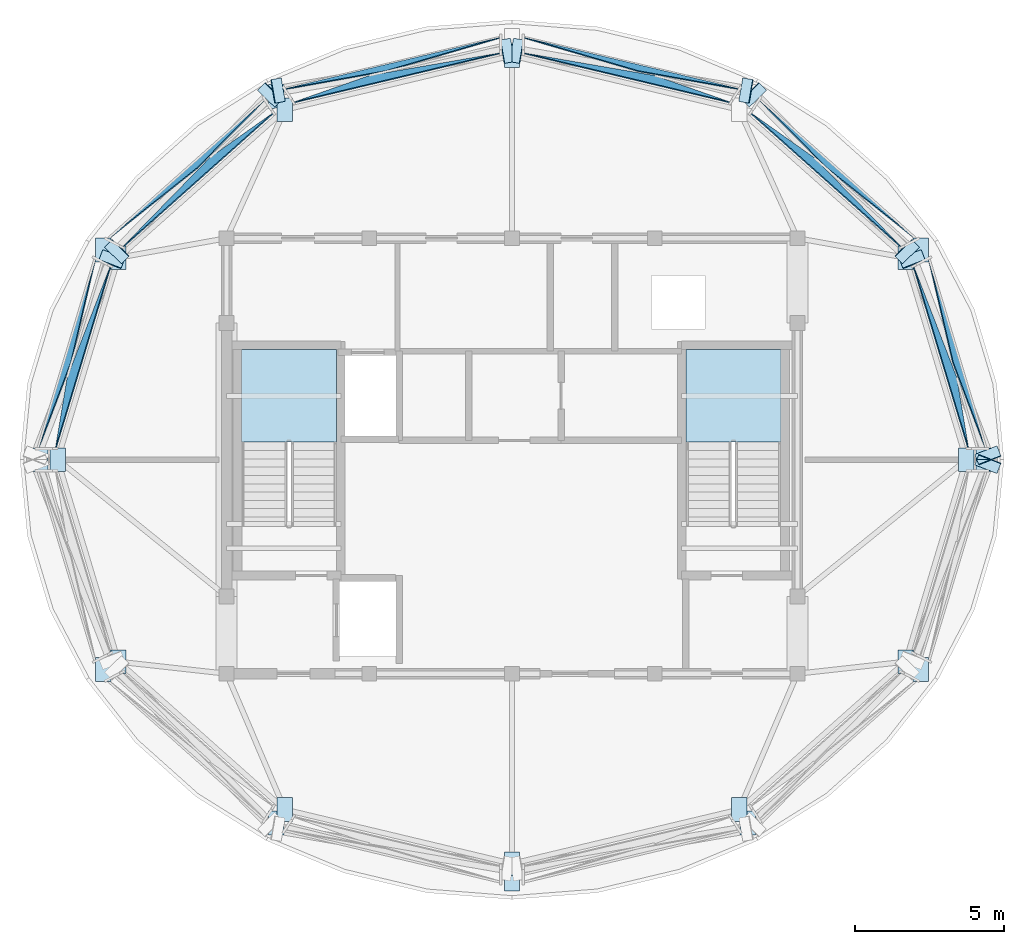
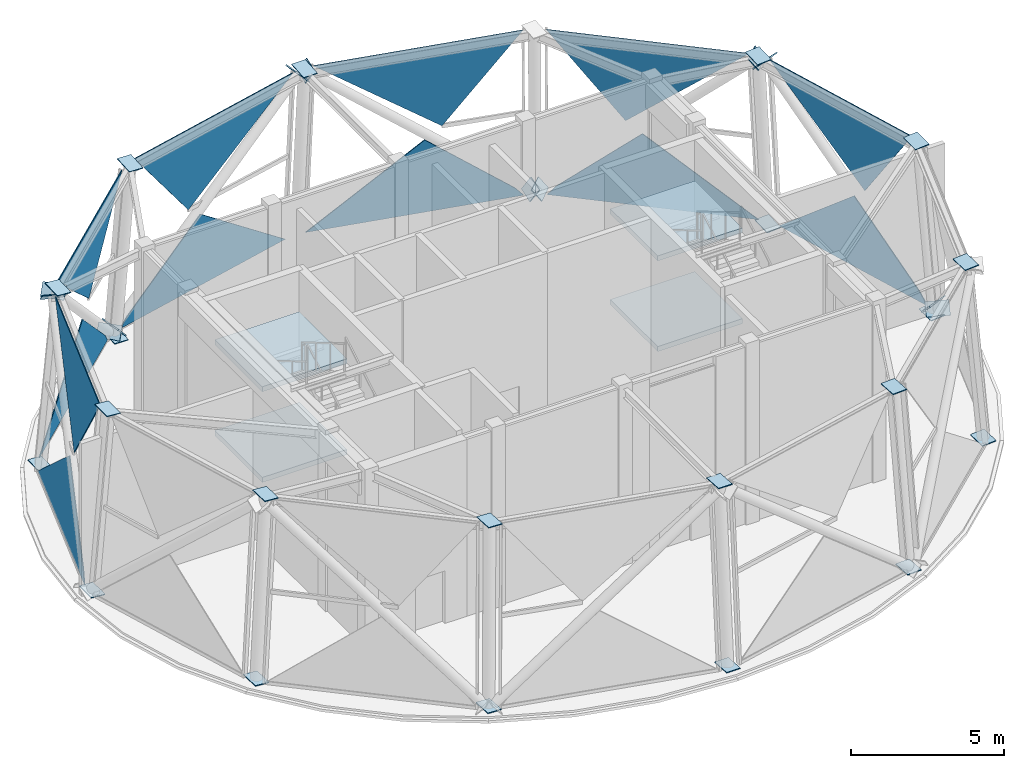
# One storey, part 4 of 9: 45 plates, 4 slabs, 8 elements without a shape of their own.
"""IFC4 building model written with IfcOpenShell, lengths in metres."""

from ifc_helpers import new_model, si_unit, direction, frame, origin, place, context, subcontext, project, spatial, polyline, outline, extrude, material, layer, layer_set, type_object, element, aggregate, save


model = new_model("IFC4")

# Units and contexts
model_context = context("Model", 3, precision=1e-05, world=origin(), true_north=direction((0.0, 1.0)))
body_context = subcontext(model_context, "Body", "Model", "MODEL_VIEW")
ifc_project = project(units=[si_unit("LENGTHUNIT", "METRE"), si_unit("AREAUNIT", "SQUARE_METRE"), si_unit("VOLUMEUNIT", "CUBIC_METRE"), si_unit("PLANEANGLEUNIT", "RADIAN"), si_unit("MASSUNIT", "GRAM", prefix="KILO")], contexts=[model_context])

# Site, building, storey
site_placement = place(None, origin())
site = spatial("IfcSite", under=ifc_project, at=site_placement, CompositionType="ELEMENT")
building_placement = place(site_placement, origin())
building = spatial("IfcBuilding", under=site, at=building_placement, Name="Vantalir Tower", CompositionType="ELEMENT")
storey_placement = place(building_placement, frame((0.0, 0.0, 319.0)))
storey = spatial("IfcBuildingStorey", under=building, at=storey_placement, Name="L78", CompositionType="ELEMENT", Elevation=319.0)

# Curtain wall, plates
ifc_material_1 = material(Name="Champagne-silver PVDF aluminium and double-silver Low-E glass", Category="aluminium")
ifc_layer_1 = layer(ifc_material_1, 0.25)
ifc_layer_set_1 = layer_set([ifc_layer_1], Name="Champagne-silver PVDF aluminium and double-silver Low-E glass")
curtain_wall_type = type_object("IfcCurtainWallType", Name="CW-CROWN-PT", PredefinedType="USERDEFINED", material=ifc_layer_set_1)
curtain_wall_1_placement = place(storey_placement, origin())
curtain_wall_1 = element("IfcCurtainWall", 1, at=curtain_wall_1_placement, inside=storey, type_object=curtain_wall_type, Name="L78 Quilted Pyramid-Diamond Curtain Wall S01", ObjectType="UNITISED CURTAIN WALL", PredefinedType="USERDEFINED")
ifc_material_2 = material(Name="Faceted crown Low-E glass IGU", Category="glass")
ifc_layer_2 = layer(ifc_material_2, 0.033935546875)
ifc_layer_set_2 = layer_set([ifc_layer_2], Name="Faceted crown Low-E glass IGU")
plate_type_1 = type_object("IfcPlateType", Name="CWP-IGU-CRN-34", PredefinedType="CURTAIN_PANEL", material=ifc_layer_set_2)
plate_1_placement = place(storey_placement, frame((47.44921875, 25.38671875, 0.05029296875), z_axis=(0.955000370211, 0.287310287213, 0.073668797731), x_axis=(-0.288085392058, 0.957604717512, -0.000109006223)))
plate_1 = element("IfcPlate", 2, at=plate_1_placement, type_object=plate_type_1, Name="CW-L78-S01 Pyramid Diamond Facet 1L", PredefinedType="CURTAIN_PANEL", context=body_context, shape_type="SweptSolid", body=[
    extrude(outline(polyline([(0.0, 0.0), (6.66159503365397, 1.7997756063259374e-17), (3.084272944217544, 3.0356845084000854), (0.31515326144358263, 0.42820611364267946), (0.0, 0.0)])), origin(), (0.0, 0.0, -1.0), 0.033935546875),
])
plate_2_placement = place(storey_placement, frame((45.02099609375, 31.503173828125, 7.020263671875), z_axis=(0.953916725459, 0.287131746887, 0.087167888694), x_axis=(0.288238456872, -0.957558655557, -0.000114668528)))
plate_2 = element("IfcPlate", 3, at=plate_2_placement, type_object=plate_type_1, Name="CW-L78-S01 Pyramid Diamond Facet 2U", PredefinedType="CURTAIN_PANEL", context=body_context, shape_type="SweptSolid", body=[
    extrude(outline(polyline([(0.0, 0.0), (6.387296383368858, -1.1275702593849246e-17), (3.9957717443546246, 3.4835044467890293), (0.0, 0.0)])), origin(), (0.0, 0.0, -1.0), 0.033935546875),
])
aggregate(curtain_wall_1, [plate_1, plate_2])

curtain_wall_2_placement = place(storey_placement, origin())
curtain_wall_2 = element("IfcCurtainWall", 4, at=curtain_wall_2_placement, inside=storey, type_object=curtain_wall_type, Name="L78 Quilted Pyramid-Diamond Curtain Wall S02", ObjectType="UNITISED CURTAIN WALL", PredefinedType="USERDEFINED")
plate_3_placement = place(storey_placement, frame((45.11181640625, 32.421630859375, 0.04931640625), z_axis=(0.663347316607, 0.745059513847, 0.069689729343), x_axis=(-0.746880121911, 0.664958700267, 0.000102149157)))
plate_3 = element("IfcPlate", 5, at=plate_3_placement, type_object=plate_type_1, Name="CW-L78-S02 Pyramid Diamond Facet 1L", PredefinedType="CURTAIN_PANEL", context=body_context, shape_type="SweptSolid", body=[
    extrude(outline(polyline([(0.0, 0.0), (7.065660236371438, -7.589415207398531e-18), (6.757968334887415, 0.4004297243888022), (3.8383601692713945, 3.03970248608469), (0.0, 0.0)])), origin(), (0.0, 0.0, -1.0), 0.033935546875),
])
plate_4_placement = place(storey_placement, frame((39.541015625, 36.66650390625, 7.019775390625), z_axis=(0.66274369962, 0.744209146363, 0.083207782589), x_axis=(0.746792875352, -0.665056681528, 0.000108069009)))
plate_4 = element("IfcPlate", 6, at=plate_4_placement, type_object=plate_type_1, Name="CW-L78-S02 Pyramid Diamond Facet 2U", PredefinedType="CURTAIN_PANEL", context=body_context, shape_type="SweptSolid", body=[
    extrude(outline(polyline([(0.0, 0.0), (6.777353485716057, -3.5128150388530344e-17), (2.590007313250349, 3.4825715566898108), (0.0, 0.0)])), origin(), (0.0, 0.0, -1.0), 0.033935546875),
])
aggregate(curtain_wall_2, [plate_3, plate_4])

curtain_wall_3_placement = place(storey_placement, origin())
curtain_wall_3 = element("IfcCurtainWall", 7, at=curtain_wall_3_placement, inside=storey, type_object=curtain_wall_type, Name="L78 Quilted Pyramid-Diamond Curtain Wall S03", ObjectType="UNITISED CURTAIN WALL", PredefinedType="USERDEFINED")
plate_5_placement = place(storey_placement, frame((39.1396484375, 37.482421875, 0.0498046875), z_axis=(0.231630877501, 0.970557917712, 0.066064097325), x_axis=(-0.972681336544, 0.232144368418, -9.8742098e-05)))
plate_5 = element("IfcPlate", 8, at=plate_5_placement, type_object=plate_type_1, Name="CW-L78-S03 Pyramid Diamond Facet 1L", PredefinedType="CURTAIN_PANEL", context=body_context, shape_type="SweptSolid", body=[
    extrude(outline(polyline([(0.0, 0.0), (7.4498695683774, -1.7672495411513722e-17), (3.440650678363946, 3.038961145310199), (0.29772186006821383, 0.3621454803820775), (0.0, 0.0)])), origin(), (0.0, 0.0, -1.0), 0.033935546875),
])
plate_6_placement = place(storey_placement, frame((31.893310546875, 38.6875, 7.020751953125), z_axis=(0.231295612374, 0.969615401188, 0.079676304357), x_axis=(0.972709739424, -0.232025326916, -0.000102469598)))
plate_6 = element("IfcPlate", 9, at=plate_6_placement, type_object=plate_type_1, Name="CW-L78-S03 Pyramid Diamond Facet 2U", PredefinedType="CURTAIN_PANEL", context=body_context, shape_type="SweptSolid", body=[
    extrude(outline(polyline([(0.0, 0.0), (7.147699295032746, 1.3010426069826053e-18), (4.467316172605861, 3.481803045041743), (0.0, 0.0)])), origin(), (0.0, 0.0, -1.0), 0.033935546875),
])
aggregate(curtain_wall_3, [plate_5, plate_6])

curtain_wall_4_placement = place(storey_placement, origin())
curtain_wall_4 = element("IfcCurtainWall", 10, at=curtain_wall_4_placement, inside=storey, type_object=curtain_wall_type, Name="L78 Quilted Pyramid-Diamond Curtain Wall S04", ObjectType="UNITISED CURTAIN WALL", PredefinedType="USERDEFINED")
plate_7_placement = place(storey_placement, frame((31.106689453125, 39.2119140625, 0.049072265625), z_axis=(-0.231630877501, 0.970557917712, 0.066064097325), x_axis=(-0.972681336544, -0.232144368418, 9.8742098e-05)))
plate_7 = element("IfcPlate", 11, at=plate_7_placement, type_object=plate_type_1, Name="CW-L78-S04 Pyramid Diamond Facet 1L", PredefinedType="CURTAIN_PANEL", context=body_context, shape_type="SweptSolid", body=[
    extrude(outline(polyline([(0.0, 0.0), (7.4498695683774, 1.7672495411513722e-17), (7.152147708309187, 0.3621454803820775), (4.009218890013455, 3.0389611453101995), (0.0, 0.0)])), origin(), (0.0, 0.0, -1.0), 0.033935546875),
])
plate_8_placement = place(storey_placement, frame((24.154052734375, 37.029052734375, 7.02001953125), z_axis=(-0.231295612374, 0.969615401188, 0.079676304357), x_axis=(0.972709739424, 0.232025326916, 0.000102469598)))
plate_8 = element("IfcPlate", 12, at=plate_8_placement, type_object=plate_type_1, Name="CW-L78-S04 Pyramid Diamond Facet 2U", PredefinedType="CURTAIN_PANEL", context=body_context, shape_type="SweptSolid", body=[
    extrude(outline(polyline([(0.0, 0.0), (7.147699295032746, -1.3010426069826053e-18), (2.680383122426885, 3.481803045041743), (0.0, 0.0)])), origin(), (0.0, 0.0, -1.0), 0.033935546875),
])
aggregate(curtain_wall_4, [plate_7, plate_8])

curtain_wall_5_placement = place(storey_placement, origin())
curtain_wall_5 = element("IfcCurtainWall", 13, at=curtain_wall_5_placement, inside=storey, type_object=curtain_wall_type, Name="L78 Quilted Pyramid-Diamond Curtain Wall S05", ObjectType="UNITISED CURTAIN WALL", PredefinedType="USERDEFINED")
plate_9_placement = place(storey_placement, frame((23.165283203125, 37.1201171875, 0.050048828125), z_axis=(-0.663347316607, 0.745059513847, 0.069689729343), x_axis=(-0.746880121911, -0.664958700267, -0.000102149157)))
plate_9 = element("IfcPlate", 14, at=plate_9_placement, type_object=plate_type_1, Name="CW-L78-S05 Pyramid Diamond Facet 1L", PredefinedType="CURTAIN_PANEL", context=body_context, shape_type="SweptSolid", body=[
    extrude(outline(polyline([(0.0, 0.0), (7.065660236371438, 7.589415207398531e-18), (3.2273000671000447, 3.03970248608469), (0.30769190148402364, 0.4004297243888022), (0.0, 0.0)])), origin(), (0.0, 0.0, -1.0), 0.033935546875),
])
plate_10_placement = place(storey_placement, frame((18.397705078125, 32.1591796875, 7.0205078125), z_axis=(-0.66274369962, 0.744209146363, 0.083207782589), x_axis=(0.746792875352, 0.665056681528, -0.000108069009)))
plate_10 = element("IfcPlate", 15, at=plate_10_placement, type_object=plate_type_1, Name="CW-L78-S05 Pyramid Diamond Facet 2U", PredefinedType="CURTAIN_PANEL", context=body_context, shape_type="SweptSolid", body=[
    extrude(outline(polyline([(0.0, 0.0), (6.777353485716057, 3.5128150388530344e-17), (4.187346172465708, 3.4825715566898108), (0.0, 0.0)])), origin(), (0.0, 0.0, -1.0), 0.033935546875),
])
aggregate(curtain_wall_5, [plate_9, plate_10])

curtain_wall_6_placement = place(storey_placement, origin())
curtain_wall_6 = element("IfcCurtainWall", 16, at=curtain_wall_6_placement, inside=storey, type_object=curtain_wall_type, Name="L78 Quilted Pyramid-Diamond Curtain Wall S06", ObjectType="UNITISED CURTAIN WALL", PredefinedType="USERDEFINED")
plate_11_placement = place(storey_placement, frame((17.469970703125, 31.765869140625, 0.049560546875), z_axis=(-0.955000370211, 0.287310287213, 0.073668797731), x_axis=(-0.288085392058, -0.957604717512, 0.000109006223)))
plate_11 = element("IfcPlate", 17, at=plate_11_placement, type_object=plate_type_1, Name="CW-L78-S06 Pyramid Diamond Facet 1L", PredefinedType="CURTAIN_PANEL", context=body_context, shape_type="SweptSolid", body=[
    extrude(outline(polyline([(0.0, 0.0), (6.66159503365397, -1.7997756063259374e-17), (6.346441772210388, 0.4282061136426794), (3.577322089436427, 3.0356845084000854), (0.0, 0.0)])), origin(), (0.0, 0.0, -1.0), 0.033935546875),
])
plate_12_placement = place(storey_placement, frame((16.137939453125, 25.386962890625, 7.01953125), z_axis=(-0.953916725459, 0.287131746887, 0.087167888694), x_axis=(0.288238456872, 0.957558655557, 0.000114668528)))
plate_12 = element("IfcPlate", 18, at=plate_12_placement, type_object=plate_type_1, Name="CW-L78-S06 Pyramid Diamond Facet 2U", PredefinedType="CURTAIN_PANEL", context=body_context, shape_type="SweptSolid", body=[
    extrude(outline(polyline([(0.0, 0.0), (6.387296383368858, 1.1275702593849246e-17), (2.3915246390142326, 3.483504446789029), (0.0, 0.0)])), origin(), (0.0, 0.0, -1.0), 0.033935546875),
])
aggregate(curtain_wall_6, [plate_11, plate_12])

# Plates
ifc_material_3 = material(Name="Steel S460", Category="steel")
ifc_layer_3 = layer(ifc_material_3, 0.031982421875)
ifc_layer_set_3 = layer_set([ifc_layer_3], Name="Steel S460")
plate_type_2 = type_object("IfcPlateType", Name="PLT-KN-Z3", PredefinedType="USERDEFINED", material=ifc_layer_set_3)
plate_13_placement = place(storey_placement, frame((46.52685546875, 25.39990234375, 7.072265625), z_axis=(-0.083084326934, 0.0, 0.996542520226), x_axis=(0.0, -1.0, 0.0)))
element("IfcPlate", 19, at=plate_13_placement, inside=storey, type_object=plate_type_2, Name="L78 Ring Column Top Cap RC01", ObjectType="FLANGE_PLATE", PredefinedType="USERDEFINED", context=body_context, shape_type="SweptSolid", body=[
    extrude(outline(polyline([(0.0, 0.0), (0.7998046875, 0.0), (0.7998046875, 0.520108812574859), (0.0, 0.520108812574859), (0.0, 0.0)])), origin(), (0.0, 0.0, -1.0), 0.031982421875),
])
plate_14_placement = place(storey_placement, frame((47.112548828125, 25.39990234375, 0.03125), z_axis=(-0.083123210248, 0.0, 0.996539277659), x_axis=(0.0, -1.0, 0.0)))
element("IfcPlate", 20, at=plate_14_placement, inside=storey, type_object=plate_type_2, Name="L78 Ring Column Base Cap RC01", ObjectType="FLANGE_PLATE", PredefinedType="USERDEFINED", context=body_context, shape_type="SweptSolid", body=[
    extrude(outline(polyline([(0.0, 0.0), (0.7998046875, 0.0), (0.7998046875, 0.5198655164568604), (0.0, 0.5198655164568604), (0.0, 0.0)])), origin(), (0.0, 0.0, -1.0), 0.031982421875),
])
plate_15_placement = place(storey_placement, frame((44.47900390625, 32.194580078125, 7.090087890625), z_axis=(-0.071893840977, -0.037135419284, 0.996720741363), x_axis=(4.07322e-07, -0.999306658595, -0.037231734965)))
element("IfcPlate", 21, at=plate_15_placement, inside=storey, type_object=plate_type_2, Name="L78 Ring Column Top Cap RC02", ObjectType="FLANGE_PLATE", PredefinedType="USERDEFINED", context=body_context, shape_type="SweptSolid", body=[
    extrude(outline(polyline([(0.0, 0.0), (0.8001151314850488, 0.0), (0.799944463270866, 0.5198997115076142), (7.330313801319792e-05, 0.5199003649076257), (0.0, 0.0)])), origin(), (0.0, 0.0, -1.0), 0.031982421875),
])
plate_16_placement = place(storey_placement, frame((44.98583984375, 32.45654296875, 0.049072265625), z_axis=(-0.071868875171, -0.03712982459, 0.996722750271), x_axis=(0.0, -0.999306868973, -0.037226087943)))
element("IfcPlate", 22, at=plate_16_placement, inside=storey, type_object=plate_type_2, Name="L78 Ring Column Base Cap RC02", ObjectType="FLANGE_PLATE", PredefinedType="USERDEFINED", context=body_context, shape_type="SweptSolid", body=[
    extrude(outline(polyline([(0.0, 0.0), (0.8001151314978902, 4.336808689942018e-19), (0.8001884346615851, 0.5201438739303564), (7.330316369493482e-05, 0.5201438739303564), (0.0, 0.0)])), origin(), (0.0, 0.0, -1.0), 0.031982421875),
])
plate_17_placement = place(storey_placement, frame((31.239990234375, 38.988037109375, 7.12353515625), z_axis=(0.0, -0.074175264348, 0.997245220675), x_axis=(0.0, -0.997245220675, -0.074175264348)))
element("IfcPlate", 23, at=plate_17_placement, inside=storey, type_object=plate_type_2, Name="L78 Ring Column Top Cap RC04", ObjectType="FLANGE_PLATE", PredefinedType="USERDEFINED", context=body_context, shape_type="SweptSolid", body=[
    extrude(outline(polyline([(0.0, 0.0), (0.7998107239212452, 0.0), (0.7998107239212452, 0.52001953125), (0.0, 0.52001953125), (0.0, 0.0)])), origin(), (0.0, 0.0, -1.0), 0.031982421875),
])
plate_18_placement = place(storey_placement, frame((23.59716796875, 37.1669921875, 7.13037109375), z_axis=(0.041617296581, -0.064184468103, 0.997069884552), x_axis=(-6.331812e-06, -0.997934486941, -0.064239860942)))
element("IfcPlate", 24, at=plate_18_placement, inside=storey, type_object=plate_type_2, Name="L78 Ring Column Top Cap RC05", ObjectType="FLANGE_PLATE", PredefinedType="USERDEFINED", context=body_context, shape_type="SweptSolid", body=[
    extrude(outline(polyline([(0.0, 0.0), (0.7999844099352214, 0.0), (0.8001587754366073, 0.5199868200412917), (0.0001586819415855588, 0.5199766804558633), (0.0, 0.0)])), origin(), (0.0, 0.0, -1.0), 0.031982421875),
])
plate_19_placement = place(storey_placement, frame((23.304443359375, 37.6201171875, 0.08935546875), z_axis=(0.04139846883, -0.064327084096, 0.997069803489), x_axis=(4.06348e-07, -0.997925307884, -0.0643822948)))
element("IfcPlate", 25, at=plate_19_placement, inside=storey, type_object=plate_type_2, Name="L78 Ring Column Base Cap RC05", ObjectType="FLANGE_PLATE", PredefinedType="USERDEFINED", context=body_context, shape_type="SweptSolid", body=[
    extrude(outline(polyline([(0.0, 0.0), (0.8000001027794679, 0.0), (0.8001653567129525, 0.5199766925942926), (-7.83801748855653e-05, 0.5199773434081553), (0.0, 0.0)])), origin(), (0.0, 0.0, -1.0), 0.031982421875),
])
plate_20_placement = place(storey_placement, frame((18.00244140625, 32.193115234375, 7.12744140625), z_axis=(0.071893840977, -0.037135419284, 0.996720741363), x_axis=(4.07446e-07, -0.999306656408, -0.037231793653)))
element("IfcPlate", 26, at=plate_20_placement, inside=storey, type_object=plate_type_2, Name="L78 Ring Column Top Cap RC06", ObjectType="FLANGE_PLATE", PredefinedType="USERDEFINED", context=body_context, shape_type="SweptSolid", body=[
    extrude(outline(polyline([(0.0, 0.0), (0.7998711601331198, -4.336808689942018e-19), (0.8000422530437965, 0.519899711368025), (-7.287844098531854e-05, 0.5199003649673323), (0.0, 0.0)])), origin(), (0.0, 0.0, -1.0), 0.031982421875),
])
plate_21_placement = place(storey_placement, frame((17.495361328125, 32.455078125, 0.08642578125), z_axis=(0.071868875171, -0.03712982459, 0.996722750271), x_axis=(0.0, -0.999306868973, -0.037226087943)))
element("IfcPlate", 27, at=plate_21_placement, inside=storey, type_object=plate_type_2, Name="L78 Ring Column Base Cap RC06", ObjectType="FLANGE_PLATE", PredefinedType="USERDEFINED", context=body_context, shape_type="SweptSolid", body=[
    extrude(outline(polyline([(0.0, 0.0), (0.8001151314978902, -4.336808689942018e-19), (0.8000418283341951, 0.5201438739303564), (-7.330316369493482e-05, 0.5201438739303564), (0.0, 0.0)])), origin(), (0.0, 0.0, -1.0), 0.031982421875),
])
plate_22_placement = place(storey_placement, frame((15.954833984375, 25.39990234375, 7.115478515625), z_axis=(0.083084326934, 0.0, 0.996542520226), x_axis=(0.0, -1.0, 0.0)))
element("IfcPlate", 28, at=plate_22_placement, inside=storey, type_object=plate_type_2, Name="L78 Ring Column Top Cap RC07", ObjectType="FLANGE_PLATE", PredefinedType="USERDEFINED", context=body_context, shape_type="SweptSolid", body=[
    extrude(outline(polyline([(0.0, 0.0), (0.7998046875, 0.0), (0.7998046875, 0.520108812574859), (0.0, 0.520108812574859), (0.0, 0.0)])), origin(), (0.0, 0.0, -1.0), 0.031982421875),
])
plate_23_placement = place(storey_placement, frame((15.369384765625, 25.39990234375, 0.074462890625), z_axis=(0.083123210248, 0.0, 0.996539277659), x_axis=(0.0, -1.0, 0.0)))
element("IfcPlate", 29, at=plate_23_placement, inside=storey, type_object=plate_type_2, Name="L78 Ring Column Base Cap RC07", ObjectType="FLANGE_PLATE", PredefinedType="USERDEFINED", context=body_context, shape_type="SweptSolid", body=[
    extrude(outline(polyline([(0.0, 0.0), (0.7998046875, 0.0), (0.7998046875, 0.5198655164568604), (0.0, 0.5198655164568604), (0.0, 0.0)])), origin(), (0.0, 0.0, -1.0), 0.031982421875),
])
plate_24_placement = place(storey_placement, frame((18.00244140625, 18.605224609375, 7.09765625), z_axis=(0.071660426999, 0.036984057449, 0.996743177903), x_axis=(-1.1305125e-05, -0.999312292961, 0.037080196987)))
element("IfcPlate", 30, at=plate_24_placement, inside=storey, type_object=plate_type_2, Name="L78 Ring Column Top Cap RC08", ObjectType="FLANGE_PLATE", PredefinedType="USERDEFINED", context=body_context, shape_type="SweptSolid", body=[
    extrude(outline(polyline([(0.0, 0.0), (0.7998711501923234, 0.0), (0.799944048515807, 0.5199003496705447), (-0.00016202162182263726, 0.5198822151054651), (0.0, 0.0)])), origin(), (0.0, 0.0, -1.0), 0.031982421875),
])
plate_25_placement = place(storey_placement, frame((17.495361328125, 18.344482421875, 0.056640625), z_axis=(0.071635534092, 0.036978485081, 0.996745174002), x_axis=(1.0893693e-05, -0.999312561834, 0.037072950286)))
element("IfcPlate", 31, at=plate_25_placement, inside=storey, type_object=plate_type_2, Name="L78 Ring Column Base Cap RC08", ObjectType="FLANGE_PLATE", PredefinedType="USERDEFINED", context=body_context, shape_type="SweptSolid", body=[
    extrude(outline(polyline([(0.0, 0.0), (0.8001060710423886, 4.336808689942018e-19), (0.8001998054235657, 0.5201263807513746), (8.468336792353615e-05, 0.5201438579710826), (0.0, 0.0)])), origin(), (0.0, 0.0, -1.0), 0.031982421875),
])
plate_26_placement = place(storey_placement, frame((23.59716796875, 13.63134765625, 7.0791015625), z_axis=(0.041617296581, 0.064184468103, 0.997069884552), x_axis=(6.331812e-06, -0.997934486941, 0.064239860942)))
element("IfcPlate", 32, at=plate_26_placement, inside=storey, type_object=plate_type_2, Name="L78 Ring Column Top Cap RC09", ObjectType="FLANGE_PLATE", PredefinedType="USERDEFINED", context=body_context, shape_type="SweptSolid", body=[
    extrude(outline(polyline([(0.0, 0.0), (0.7999844099352214, 0.0), (0.7998257279936357, 0.5199766804558633), (-0.00017436550138594958, 0.5199868200412917), (0.0, 0.0)])), origin(), (0.0, 0.0, -1.0), 0.031982421875),
])
plate_27_placement = place(storey_placement, frame((23.304443359375, 13.17822265625, 0.037841796875), z_axis=(0.04139846883, 0.064327084096, 0.997069803489), x_axis=(-4.06348e-07, -0.997925307884, 0.0643822948)))
element("IfcPlate", 33, at=plate_27_placement, inside=storey, type_object=plate_type_2, Name="L78 Ring Column Base Cap RC09", ObjectType="FLANGE_PLATE", PredefinedType="USERDEFINED", context=body_context, shape_type="SweptSolid", body=[
    extrude(outline(polyline([(0.0, 0.0), (0.8000001027794679, 0.0), (0.8000784829543535, 0.5199773434081552), (-0.0001652539334846485, 0.5199766925942925), (0.0, 0.0)])), origin(), (0.0, 0.0, -1.0), 0.031982421875),
])
plate_28_placement = place(storey_placement, frame((31.239990234375, 11.8095703125, 7.064208984375), z_axis=(0.0, 0.074175264348, 0.997245220675), x_axis=(0.0, -0.997245220675, 0.074175264348)))
element("IfcPlate", 34, at=plate_28_placement, inside=storey, type_object=plate_type_2, Name="L78 Ring Column Top Cap RC10", ObjectType="FLANGE_PLATE", PredefinedType="USERDEFINED", context=body_context, shape_type="SweptSolid", body=[
    extrude(outline(polyline([(0.0, 0.0), (0.7998107239212452, 0.0), (0.7998107239212452, 0.52001953125), (0.0, 0.52001953125), (0.0, 0.0)])), origin(), (0.0, 0.0, -1.0), 0.031982421875),
])
plate_29_placement = place(storey_placement, frame((31.239990234375, 11.286865234375, 0.023193359375), z_axis=(0.0, 0.074152691722, 0.997246899374), x_axis=(0.0, -0.997246899374, 0.074152691722)))
element("IfcPlate", 35, at=plate_29_placement, inside=storey, type_object=plate_type_2, Name="L78 Ring Column Base Cap RC10", ObjectType="FLANGE_PLATE", PredefinedType="USERDEFINED", context=body_context, shape_type="SweptSolid", body=[
    extrude(outline(polyline([(0.0, 0.0), (0.8000541921976495, 0.0), (0.8000541921976495, 0.52001953125), (0.0, 0.52001953125), (0.0, 0.0)])), origin(), (0.0, 0.0, -1.0), 0.031982421875),
])
plate_30_placement = place(storey_placement, frame((38.88330078125, 13.630126953125, 7.057373046875), z_axis=(-0.041617296581, 0.064184468103, 0.997069884552), x_axis=(6.331688e-06, -0.997934453056, 0.06424038733)))
element("IfcPlate", 36, at=plate_30_placement, inside=storey, type_object=plate_type_2, Name="L78 Ring Column Top Cap RC11", ObjectType="FLANGE_PLATE", PredefinedType="USERDEFINED", context=body_context, shape_type="SweptSolid", body=[
    extrude(outline(polyline([(0.0, 0.0), (0.8000000935592787, -4.336808689942018e-19), (0.8001653659350461, 0.5199766784028871), (0.0001809560640805264, 0.5199868177895337), (0.0, 0.0)])), origin(), (0.0, 0.0, -1.0), 0.031982421875),
])
plate_31_placement = place(storey_placement, frame((39.176025390625, 13.177001953125, 0.016357421875), z_axis=(-0.04139846883, 0.064327084096, 0.997069803489), x_axis=(-4.06224e-07, -0.997925310052, 0.064382261201)))
element("IfcPlate", 37, at=plate_31_placement, inside=storey, type_object=plate_type_2, Name="L78 Ring Column Base Cap RC11", ObjectType="FLANGE_PLATE", PredefinedType="USERDEFINED", context=body_context, shape_type="SweptSolid", body=[
    extrude(outline(polyline([(0.0, 0.0), (0.8002437368881027, 0.0), (0.8001649338314777, 0.5199773433442391), (0.0001648310522744771, 0.5199766927285165), (0.0, 0.0)])), origin(), (0.0, 0.0, -1.0), 0.031982421875),
])
plate_32_placement = place(storey_placement, frame((44.47900390625, 18.60400390625, 7.060546875), z_axis=(-0.071660426999, 0.036984057449, 0.996743177903), x_axis=(-1.1301806e-05, -0.999312353186, 0.037078573906)))
element("IfcPlate", 38, at=plate_32_placement, inside=storey, type_object=plate_type_2, Name="L78 Ring Column Top Cap RC12", ObjectType="FLANGE_PLATE", PredefinedType="USERDEFINED", context=body_context, shape_type="SweptSolid", body=[
    extrude(outline(polyline([(0.0, 0.0), (0.8001060703431415, 0.0), (0.8000213883736383, 0.51990034788475), (0.00015023838676640755, 0.5198822186441832), (0.0, 0.0)])), origin(), (0.0, 0.0, -1.0), 0.031982421875),
])
plate_33_placement = place(storey_placement, frame((44.98583984375, 18.343017578125, 0.019287109375), z_axis=(-0.071635534092, 0.036978485081, 0.996745174002), x_axis=(1.089357e-05, -0.999312503822, 0.037074513973)))
element("IfcPlate", 39, at=plate_33_placement, inside=storey, type_object=plate_type_2, Name="L78 Ring Column Base Cap RC12", ObjectType="FLANGE_PLATE", PredefinedType="USERDEFINED", context=body_context, shape_type="SweptSolid", body=[
    extrude(outline(polyline([(0.0, 0.0), (0.8001151222465229, -4.336808689942018e-19), (0.800032749184233, 0.5201263826747656), (-7.33216672770124e-05, 0.5201438596967648), (0.0, 0.0)])), origin(), (0.0, 0.0, -1.0), 0.031982421875),
])
plate_34_placement = place(storey_placement, frame((47.815185546875, 25.465087890625, 0.0458984375), z_axis=(-0.263169041116, 0.681208940466, 0.683151839072), x_axis=(-0.932809790912, -0.360369107971, 0.0)))
element("IfcPlate", 40, at=plate_34_placement, inside=storey, type_object=plate_type_2, Name="Node Cap Plate MEM-DG-L78-R01L Start", ObjectType="FLANGE_PLATE", PredefinedType="USERDEFINED", context=body_context, shape_type="SweptSolid", body=[
    extrude(outline(polyline([(0.0, 0.0), (0.800096544758283, 0.0), (0.8001523428731845, 0.5198561690799006), (5.579811490157736e-05, 0.5198561690799006), (0.0, 0.0)])), origin(), (0.0, 0.0, -1.0), 0.031982421875),
])
plate_35_placement = place(storey_placement, frame((45.2646484375, 32.06640625, 6.666259765625), z_axis=(-0.263112528862, 0.680951265425, 0.683430443624), x_axis=(-0.932780712713, -0.360444366356, 2.7442719e-05)))
element("IfcPlate", 41, at=plate_35_placement, inside=storey, type_object=plate_type_2, Name="Node Cap Plate MEM-DG-L78-R01L End", ObjectType="FLANGE_PLATE", PredefinedType="USERDEFINED", context=body_context, shape_type="SweptSolid", body=[
    extrude(outline(polyline([(0.0, 0.0), (0.7998688121867551, -5.551115123125783e-17), (0.8000516807117317, 0.5200117611957896), (-4.486114121299495e-05, 0.5200719070308373), (0.0, 0.0)])), origin(), (0.0, 0.0, -1.0), 0.031982421875),
])
plate_36_placement = place(storey_placement, frame((47.06884765625, 24.8232421875, 0.0458984375), z_axis=(-0.263169041116, -0.681208940466, 0.683151839072), x_axis=(0.932809790912, -0.360369107971, 0.0)))
element("IfcPlate", 42, at=plate_36_placement, inside=storey, type_object=plate_type_2, Name="Node Cap Plate MEM-DG-L78-R01R Start", ObjectType="FLANGE_PLATE", PredefinedType="USERDEFINED", context=body_context, shape_type="SweptSolid", body=[
    extrude(outline(polyline([(0.0, 0.0), (0.800096544758283, 0.0), (0.8000407466433814, 0.5198561690799006), (-5.579811490157736e-05, 0.5198561690799006), (0.0, 0.0)])), origin(), (0.0, 0.0, -1.0), 0.031982421875),
])
plate_37_placement = place(storey_placement, frame((39.26416015625, 37.841552734375, 0.029052734375), z_axis=(-0.751696220959, 0.130132606849, 0.646543344278), x_axis=(-0.170581317303, -0.985343602094, 0.0)))
element("IfcPlate", 43, at=plate_37_placement, inside=storey, type_object=plate_type_2, Name="Node Cap Plate MEM-DG-L78-R07L Start", ObjectType="FLANGE_PLATE", PredefinedType="USERDEFINED", context=body_context, shape_type="SweptSolid", body=[
    extrude(outline(polyline([(0.0, 0.0), (0.8000560174641694, 1.3877787807814457e-17), (0.8000747916126735, 0.5200423971007233), (1.8774148504006882e-05, 0.5200423971007233), (0.0, 0.0)])), origin(), (0.0, 0.0, -1.0), 0.031982421875),
])
plate_38_placement = place(storey_placement, frame((31.550048828125, 39.17822265625, 6.6650390625), z_axis=(-0.751456813779, 0.130364255178, 0.646774936123), x_axis=(-0.170928958858, -0.985283355702, 0.0)))
element("IfcPlate", 44, at=plate_38_placement, inside=storey, type_object=plate_type_2, Name="Node Cap Plate MEM-DG-L78-R07L End", ObjectType="FLANGE_PLATE", PredefinedType="USERDEFINED", context=body_context, shape_type="SweptSolid", body=[
    extrude(outline(polyline([(0.0, 0.0), (0.7998571506755543, -1.3877787807814457e-17), (0.7997572950651723, 0.5198561624841211), (-9.985561038188678e-05, 0.5198561624841211), (0.0, 0.0)])), origin(), (0.0, 0.0, -1.0), 0.031982421875),
])
for number, where, z_axis, x_axis, name in (
    (45, (39.48681640625, 36.86376953125, 0.0390625), (0.519654397058, -0.531908256203, 0.668605200848), (0.715298131827, 0.698819420598, 0.0), "Node Cap Plate MEM-DG-L78-R07R Start"),
    (46, (44.637451171875, 31.59033203125, 6.66552734375), (0.519654397058, -0.531908256203, 0.668605200848), (0.715298131827, 0.698819420598, 0.0), "Node Cap Plate MEM-DG-L78-R07R End"),
):
    element("IfcPlate", number, at=place(storey_placement, frame(where, z_axis=z_axis, x_axis=x_axis)), inside=storey, type_object=plate_type_2, Name=name, ObjectType="FLANGE_PLATE", PredefinedType="USERDEFINED", context=body_context, shape_type="SweptSolid", body=[
        extrude(outline(polyline([(0.0, 0.0), (0.8000379136161402, 0.0), (0.8001295514145821, 0.520050584271811), (9.163779844179043e-05, 0.520050584271811), (0.0, 0.0)])), origin(), (0.0, 0.0, -1.0), 0.031982421875),
    ])
for number, where, z_axis, x_axis, name in (
    (47, (22.94091796875, 37.4228515625, 0.0390625), (-0.519654397058, -0.531908256203, 0.668605200848), (0.715298131827, -0.698819420598, 0.0), "Node Cap Plate MEM-DG-L78-R13L Start"),
    (48, (17.790283203125, 32.1494140625, 6.66552734375), (-0.519654397058, -0.531908256203, 0.668605200848), (0.715298131827, -0.698819420598, 0.0), "Node Cap Plate MEM-DG-L78-R13L End"),
):
    element("IfcPlate", number, at=place(storey_placement, frame(where, z_axis=z_axis, x_axis=x_axis)), inside=storey, type_object=plate_type_2, Name=name, ObjectType="FLANGE_PLATE", PredefinedType="USERDEFINED", context=body_context, shape_type="SweptSolid", body=[
        extrude(outline(polyline([(0.0, 0.0), (0.8000379136161402, 0.0), (0.7999462758176985, 0.520050584271811), (-9.163779844179043e-05, 0.520050584271811), (0.0, 0.0)])), origin(), (0.0, 0.0, -1.0), 0.031982421875),
    ])
plate_39_placement = place(storey_placement, frame((23.872314453125, 37.05322265625, 0.029052734375), z_axis=(0.751696220959, 0.130132606849, 0.646543344278), x_axis=(-0.170581317303, 0.985343602094, 0.0)))
element("IfcPlate", 49, at=plate_39_placement, inside=storey, type_object=plate_type_2, Name="Node Cap Plate MEM-DG-L78-R13R Start", ObjectType="FLANGE_PLATE", PredefinedType="USERDEFINED", context=body_context, shape_type="SweptSolid", body=[
    extrude(outline(polyline([(0.0, 0.0), (0.8000560174641694, -1.3877787807814457e-17), (0.8000372433156655, 0.5200423971007233), (-1.8774148504006882e-05, 0.5200423971007233), (0.0, 0.0)])), origin(), (0.0, 0.0, -1.0), 0.031982421875),
])
plate_40_placement = place(storey_placement, frame((31.586669921875, 38.39013671875, 6.6650390625), z_axis=(0.751456813779, 0.130364255178, 0.646774936123), x_axis=(-0.170928958858, 0.985283355702, 0.0)))
element("IfcPlate", 50, at=plate_40_placement, inside=storey, type_object=plate_type_2, Name="Node Cap Plate MEM-DG-L78-R13R End", ObjectType="FLANGE_PLATE", PredefinedType="USERDEFINED", context=body_context, shape_type="SweptSolid", body=[
    extrude(outline(polyline([(0.0, 0.0), (0.7998571506755543, 1.3877787807814457e-17), (0.7999570062859362, 0.519856162484121), (9.985561038188678e-05, 0.5198561624841211), (0.0, 0.0)])), origin(), (0.0, 0.0, -1.0), 0.031982421875),
])
plate_41_placement = place(storey_placement, frame((18.4814453125, 31.778076171875, 6.666259765625), z_axis=(0.263112528862, 0.680951265425, 0.683430443624), x_axis=(-0.932780712713, 0.360444366356, -2.7442719e-05)))
element("IfcPlate", 51, at=plate_41_placement, inside=storey, type_object=plate_type_2, Name="Node Cap Plate MEM-DG-L78-R19R End", ObjectType="FLANGE_PLATE", PredefinedType="USERDEFINED", context=body_context, shape_type="SweptSolid", body=[
    extrude(outline(polyline([(0.0, 0.0), (0.7998688121867551, 5.551115123125783e-17), (0.7999136733279681, 0.5200719070308373), (-0.00018286852497667388, 0.5200117611957897), (0.0, 0.0)])), origin(), (0.0, 0.0, -1.0), 0.031982421875),
])

# Stair, slabs
ifc_material_4 = material(Name="Concrete C40/50", Category="concrete")
stair_type = type_object("IfcStairType", Name="STR-CORE-1450", PredefinedType="HALF_TURN_STAIR", material=ifc_material_4)
stair_1_placement = place(storey_placement, origin())
stair_1 = element("IfcStair", 52, at=stair_1_placement, inside=storey, type_object=stair_type, Name="L78 Core Exit Stair 1", PredefinedType="HALF_TURN_STAIR")
ifc_layer_4 = layer(ifc_material_4, 0.199951171875)
ifc_layer_set_4 = layer_set([ifc_layer_4], Name="Concrete C40/50")
slab_type = type_object("IfcSlabType", Name="SL-LAND-200", PredefinedType="LANDING", material=ifc_layer_set_4)
slab_1_placement = place(storey_placement, frame((0.0, 0.0, 1.612548828125)))
slab_1 = element("IfcSlab", 53, at=slab_1_placement, type_object=slab_type, Name="ST1 landing 1", PredefinedType="LANDING", context=body_context, shape_type="SweptSolid", body=[
    extrude(outline(polyline([(25.60009765625, 25.590087890625), (25.60009765625, 28.699951171875), (22.39990234375, 28.699951171875), (22.39990234375, 25.590087890625), (25.60009765625, 25.590087890625)])), origin(), (0.0, 0.0, 1.0), 0.199951171875),
])
slab_2_placement = place(storey_placement, frame((0.0, 0.0, 5.237548828125)))
slab_2 = element("IfcSlab", 54, at=slab_2_placement, type_object=slab_type, Name="ST1 landing 3", PredefinedType="LANDING", context=body_context, shape_type="SweptSolid", body=[
    extrude(outline(polyline([(25.60009765625, 25.590087890625), (25.60009765625, 28.699951171875), (22.39990234375, 28.699951171875), (22.39990234375, 25.590087890625), (25.60009765625, 25.590087890625)])), origin(), (0.0, 0.0, 1.0), 0.199951171875),
])
aggregate(stair_1, [slab_1, slab_2])

stair_2_placement = place(storey_placement, origin())
stair_2 = element("IfcStair", 55, at=stair_2_placement, inside=storey, type_object=stair_type, Name="L78 Core Exit Stair 2", PredefinedType="HALF_TURN_STAIR")
slab_3_placement = place(storey_placement, frame((0.0, 0.0, 1.612548828125)))
slab_3 = element("IfcSlab", 56, at=slab_3_placement, type_object=slab_type, Name="ST2 landing 1", PredefinedType="LANDING", context=body_context, shape_type="SweptSolid", body=[
    extrude(outline(polyline([(40.550048828125, 25.590087890625), (40.550048828125, 28.699951171875), (37.35009765625, 28.699951171875), (37.35009765625, 25.590087890625), (40.550048828125, 25.590087890625)])), origin(), (0.0, 0.0, 1.0), 0.199951171875),
])
slab_4_placement = place(storey_placement, frame((0.0, 0.0, 5.237548828125)))
slab_4 = element("IfcSlab", 57, at=slab_4_placement, type_object=slab_type, Name="ST2 landing 3", PredefinedType="LANDING", context=body_context, shape_type="SweptSolid", body=[
    extrude(outline(polyline([(40.550048828125, 25.590087890625), (40.550048828125, 28.699951171875), (37.35009765625, 28.699951171875), (37.35009765625, 25.590087890625), (40.550048828125, 25.590087890625)])), origin(), (0.0, 0.0, 1.0), 0.199951171875),
])
aggregate(stair_2, [slab_3, slab_4])

save(model, "model.ifc")
